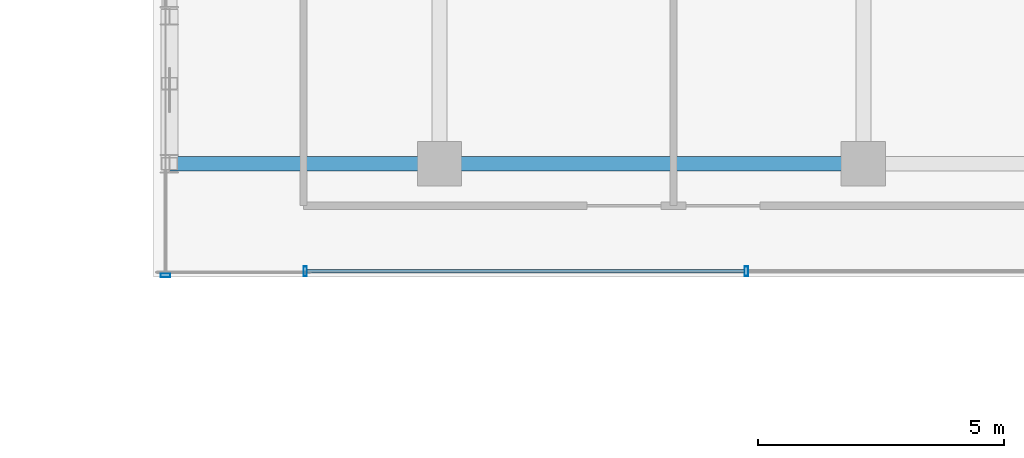
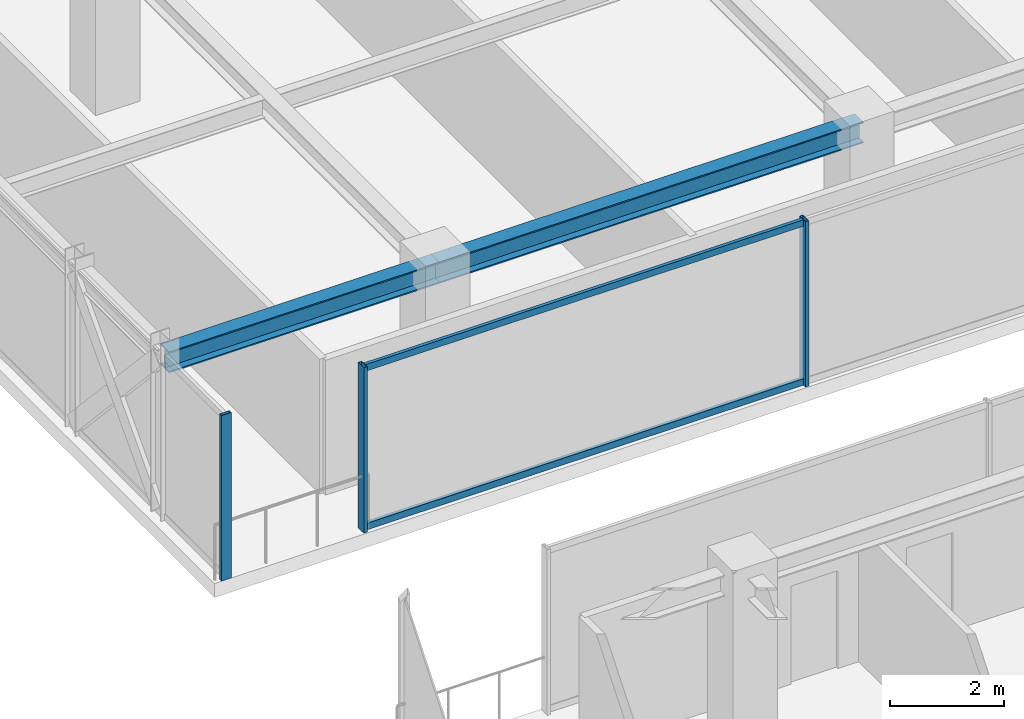
# One storey, part 10 of 37: 5 members, 2 beams, 2 elements without a shape of their own.
"""IFC4 building model written with IfcOpenShell, lengths in metres."""

from ifc_helpers import new_model, si_unit, direction, frame, origin, origin_2d, place, context, subcontext, project, spatial, hollow_rectangle, i_section, extrude, source, transform, mapped, material, material_profile, profile_set, type_object, element, aggregate, save


model = new_model("IFC4")

# Units and contexts
model_context = context("Model", 3, precision=1e-05, world=origin(), true_north=direction((0.0, 1.0)))
body_context = subcontext(model_context, "Body", "Model", "MODEL_VIEW")
ifc_project = project(units=[si_unit("LENGTHUNIT", "METRE"), si_unit("AREAUNIT", "SQUARE_METRE"), si_unit("VOLUMEUNIT", "CUBIC_METRE"), si_unit("PLANEANGLEUNIT", "RADIAN"), si_unit("MASSUNIT", "GRAM", prefix="KILO")], contexts=[model_context])

# Site, building, storey
site_placement = place(None, origin())
site = spatial("IfcSite", under=ifc_project, at=site_placement, CompositionType="ELEMENT")
building_placement = place(site_placement, origin())
building = spatial("IfcBuilding", under=site, at=building_placement, Name="Nahalor Promenade Grand Hotel", CompositionType="ELEMENT")
storey_placement = place(building_placement, frame((0.0, 0.0, 308.050048828125)))
storey = spatial("IfcBuildingStorey", under=building, at=storey_placement, Name="L79", CompositionType="ELEMENT", Elevation=308.050048828125)

# Beams
ifc_material_1 = material(Name="Steel S355JR", Category="steel")
ifc_material_profile_1 = material_profile(ifc_material_1, i_section(OverallWidth=0.3, OverallDepth=0.45, WebThickness=0.014, FlangeThickness=0.026, at=origin_2d()), Name="HEB 450")
ifc_profile_set_1 = profile_set([ifc_material_profile_1], Name="Steel S355JR")
beam_type = type_object("IfcBeamType", Name="Beam-Girder-HEB450", PredefinedType="BEAM", material=ifc_profile_set_1)
shared_shape_1 = source(origin(), body_context, "Body", "SweptSolid", [
    extrude(i_section(OverallWidth=0.3, OverallDepth=0.45, WebThickness=0.014, FlangeThickness=0.026, at=origin_2d()), origin(), (0.0, 0.0, 1.0), 8.60009765625),
])
beam_1_placement = place(storey_placement, frame((-17.0, 5.39990234375, 3.324951171875), z_axis=(1.0, 0.0, 0.0), x_axis=(0.0, 1.0, 0.0)))
element("IfcBeam", 1, at=beam_1_placement, inside=storey, type_object=beam_type, Name="BM-L79-GX-2-1", PredefinedType="BEAM", context=body_context, shape_type="MappedRepresentation", body=[
    mapped(shared_shape_1, transform((0.0, 0.0, 0.0), scale=1.0)),
])
shared_shape_2 = source(origin(), body_context, "Body", "SweptSolid", [
    extrude(i_section(OverallWidth=0.3, OverallDepth=0.45, WebThickness=0.014, FlangeThickness=0.026, at=origin_2d()), origin(), (0.0, 0.0, 1.0), 5.47998046875),
])
beam_2_placement = place(storey_placement, frame((-22.47998046875, 5.39990234375, 3.324951171875), z_axis=(1.0, 0.0, 0.0), x_axis=(0.0, 1.0, 0.0)))
element("IfcBeam", 2, at=beam_2_placement, inside=storey, type_object=beam_type, Name="BM-L79-GX-2-0", PredefinedType="BEAM", context=body_context, shape_type="MappedRepresentation", body=[
    mapped(shared_shape_2, transform((0.0, 0.0, 0.0), scale=1.0)),
])

# Curtain wall, members
ifc_material_2 = material(Name="Anodised Bronze Aluminium EN AW-6063 T6", Category="aluminium")
curtain_wall_type = type_object("IfcCurtainWallType", Name="CW3 Elliptical-Void Collar Unitised Curtain Wall", PredefinedType="USERDEFINED", material=ifc_material_2)
curtain_wall_1_placement = place(storey_placement, origin())
curtain_wall_1 = element("IfcCurtainWall", 3, at=curtain_wall_1_placement, inside=storey, type_object=curtain_wall_type, Name="L79 Curtain Wall CW-L79-VOID-WN1", ObjectType="UNITISED_CURTAIN_WALL", PredefinedType="USERDEFINED")
ifc_material_profile_2 = material_profile(ifc_material_2, hollow_rectangle(XDim=0.07, YDim=0.14, WallThickness=0.004, at=origin_2d()), Name="CWT 70x140x4")
ifc_profile_set_2 = profile_set([ifc_material_profile_2], Name="Anodised Bronze Aluminium EN AW-6063 T6")
member_type_1 = type_object("IfcMemberType", Name="CWT3 Void Collar Transom 70x140", PredefinedType="USERDEFINED", material=ifc_profile_set_2)
shared_shape_3 = source(origin(), body_context, "Body", "SweptSolid", [
    extrude(hollow_rectangle(XDim=0.07, YDim=0.14, WallThickness=0.004, at=origin_2d()), origin(), (0.0, 0.0, 1.0), 8.881591796875),
])
member_1_placement = place(storey_placement, frame((-19.68994140625, 3.219970703125, 0.070068359375), z_axis=(1.0, 0.0, 0.0), x_axis=(0.0, 1.0, 0.0)))
member_1 = element("IfcMember", 4, at=member_1_placement, type_object=member_type_1, Name="CW-L79-VOID-WN1 Transom 0-0", ObjectType="TRANSOM", PredefinedType="USERDEFINED", context=body_context, shape_type="MappedRepresentation", body=[
    mapped(shared_shape_3, transform((0.0, 0.0, 0.0), scale=1.0)),
])
member_2_placement = place(storey_placement, frame((-19.68994140625, 3.219970703125, 3.47998046875), z_axis=(1.0, 0.0, 0.0), x_axis=(0.0, 1.0, 0.0)))
member_2 = element("IfcMember", 5, at=member_2_placement, type_object=member_type_1, Name="CW-L79-VOID-WN1 Transom 0-1", ObjectType="TRANSOM", PredefinedType="USERDEFINED", context=body_context, shape_type="MappedRepresentation", body=[
    mapped(shared_shape_3, transform((0.0, 0.0, 0.0), scale=1.0)),
])

# Curtain wall, member
curtain_wall_2_placement = place(storey_placement, origin())
curtain_wall_2 = element("IfcCurtainWall", 6, at=curtain_wall_2_placement, inside=storey, type_object=curtain_wall_type, Name="L79 Curtain Wall CW-L79-W-4", ObjectType="UNITISED_CURTAIN_WALL", PredefinedType="USERDEFINED")
ifc_material_profile_3 = material_profile(ifc_material_2, hollow_rectangle(XDim=0.07, YDim=0.2, WallThickness=0.005, at=origin_2d()), Name="CWM 70x200x5")
ifc_profile_set_3 = profile_set([ifc_material_profile_3], Name="Anodised Bronze Aluminium EN AW-6063 T6")
member_type_2 = type_object("IfcMemberType", Name="CWM3 Void Collar Mullion 70x200", PredefinedType="MULLION", material=ifc_profile_set_3)
shared_shape_4 = source(origin(), body_context, "Body", "SweptSolid", [
    extrude(hollow_rectangle(XDim=0.07, YDim=0.2, WallThickness=0.005, at=origin_2d()), origin(), (0.0, 0.0, 1.0), 3.550048828125),
])
member_3_placement = place(storey_placement, frame((-22.56005859375, 3.135009765625, 0.0), z_axis=(0.0, 0.0, 1.0), x_axis=(0.0, 1.0, 0.0)))
member_3 = element("IfcMember", 7, at=member_3_placement, type_object=member_type_2, Name="CW-L79-W-4 Mullion 0", PredefinedType="MULLION", context=body_context, shape_type="MappedRepresentation", body=[
    mapped(shared_shape_4, transform((0.0, 0.0, 0.0), scale=1.0)),
])
aggregate(curtain_wall_2, [member_3])

# Member
member_4_placement = place(storey_placement, frame((-19.72509765625, 3.219970703125, 0.0), z_axis=(0.0, 0.0, 1.0), x_axis=(1.0, 0.0, 0.0)))
member_4 = element("IfcMember", 8, at=member_4_placement, type_object=member_type_2, Name="CW-L79-VOID-WN1 Mullion 0", PredefinedType="MULLION", context=body_context, shape_type="MappedRepresentation", body=[
    mapped(shared_shape_4, transform((0.0, 0.0, 0.0), scale=1.0)),
])

member_5_placement = place(storey_placement, frame((-10.7734375, 3.219970703125, 0.0), z_axis=(0.0, 0.0, 1.0), x_axis=(1.0, 0.0, 0.0)))
member_5 = element("IfcMember", 9, at=member_5_placement, type_object=member_type_2, Name="CW-L79-VOID-WN1 Mullion 1", PredefinedType="MULLION", context=body_context, shape_type="MappedRepresentation", body=[
    mapped(shared_shape_4, transform((0.0, 0.0, 0.0), scale=1.0)),
])

aggregate(curtain_wall_1, [member_4, member_5, member_1, member_2])

save(model, "model.ifc")
